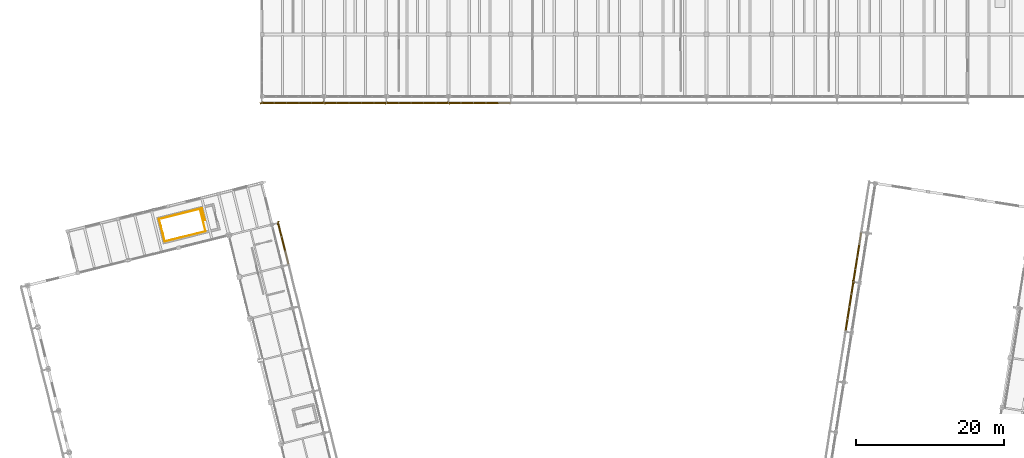
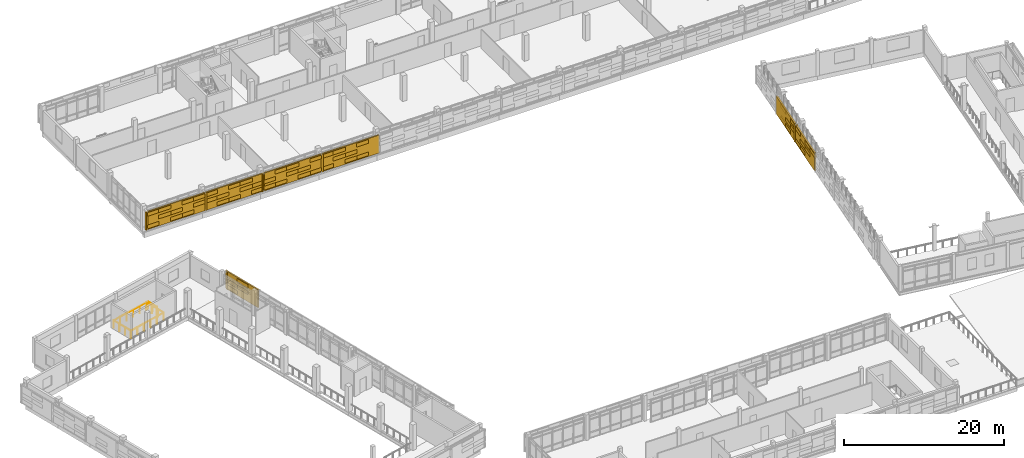
# One storey, part 111 of 117: 61 coverings, 7 shading devices, 5 railings.
"""IFC4 building model written with IfcOpenShell, lengths in metres."""

from ifc_helpers import new_model, si_unit, direction, frame, origin, origin_2d, place, context, subcontext, project, spatial, rectangle, circle, extrude, material, layer, layer_set, type_object, element, save


model = new_model("IFC4")

# Units and contexts
model_context = context("Model", 3, precision=1e-05, world=origin(), true_north=direction((0.0, 1.0)))
body_context = subcontext(model_context, "Body", "Model", "MODEL_VIEW")
ifc_project = project(units=[si_unit("LENGTHUNIT", "METRE"), si_unit("AREAUNIT", "SQUARE_METRE"), si_unit("VOLUMEUNIT", "CUBIC_METRE"), si_unit("PLANEANGLEUNIT", "RADIAN"), si_unit("MASSUNIT", "GRAM", prefix="KILO")], contexts=[model_context])

# Site, building, storey
site_placement = place(None, origin())
site = spatial("IfcSite", under=ifc_project, at=site_placement, CompositionType="ELEMENT")
building_placement = place(site_placement, origin())
building = spatial("IfcBuilding", under=site, at=building_placement, Name="Cinderway Yard Community Centre", CompositionType="ELEMENT")
storey_placement = place(building_placement, frame((0.0, 0.0, 9.0)))
storey = spatial("IfcBuildingStorey", under=building, at=storey_placement, Name="L02", CompositionType="ELEMENT", Elevation=9.0)

# Coverings
ifc_material_1 = material(Name="Brick Masonry", Category="masonry")
ifc_layer = layer(ifc_material_1, 0.18994140625, Name="Brick Masonry")
ifc_layer_set = layer_set([ifc_layer], Name="Brick Masonry")
covering_type = type_object("IfcCoveringType", Name="ENV-COV-BRK-SCREEN", PredefinedType="CLADDING", material=ifc_layer_set)
for number, where, z_axis, x_axis, name in (
    (1, (41.60009765625, 89.14990234375, 0.64990234375), (0.0, 0.0, 1.0), (-0.913545457643, -0.406736643076, 0.0), "Deconstructivist folded brick fin 0567"),
    (2, (50.0, 89.14990234375, 0.64990234375), (0.0, 0.0, 1.0), (-0.913545457643, 0.406736643076, 0.0), "Deconstructivist folded brick fin 0568"),
    (3, (58.39990234375, 89.14990234375, 0.64990234375), (0.0, 0.0, 1.0), (-0.913545457643, -0.406736643076, 0.0), "Deconstructivist folded brick fin 0569"),
    (4, (66.800048828125, 89.14990234375, 0.64990234375), (0.0, 0.0, 1.0), (-0.913545457643, 0.406736643076, 0.0), "Deconstructivist folded brick fin 0570"),
):
    element("IfcCovering", number, at=place(storey_placement, frame(where, z_axis=z_axis, x_axis=x_axis)), inside=storey, type_object=covering_type, Name=name, PredefinedType="CLADDING", context=body_context, shape_type="SweptSolid", body=[
        extrude(rectangle(XDim=0.4599609375, YDim=0.199951171875, at=origin_2d()), origin(), (0.0, 0.0, 1.0), 2.75),
    ])
for number, where, z_axis, x_axis, name in (
    (5, (42.43994140625, 89.14990234375, 0.79052734375), (0.0, 0.0, 1.0), (-1.0, 0.0, 0.0), "Open-bond perforated brick screen course 00579"),
    (6, (45.800048828125, 89.14990234375, 0.79052734375), (0.0, 0.0, 1.0), (-1.0, 0.0, 0.0), "Open-bond perforated brick screen course 00580"),
    (7, (47.47998046875, 89.14990234375, 0.79052734375), (0.0, 0.0, 1.0), (-1.0, 0.0, 0.0), "Open-bond perforated brick screen course 00581"),
    (8, (44.1201171875, 89.14990234375, 1.736328125), (0.0, 0.0, 1.0), (-1.0, 0.0, 0.0), "Open-bond perforated brick screen course 00582"),
    (9, (45.800048828125, 89.14990234375, 1.736328125), (0.0, 0.0, 1.0), (-1.0, 0.0, 0.0), "Open-bond perforated brick screen course 00583"),
    (10, (49.159912109375, 89.14990234375, 1.736328125), (0.0, 0.0, 1.0), (-1.0, 0.0, 0.0), "Open-bond perforated brick screen course 00584"),
    (11, (42.43994140625, 89.14990234375, 2.6826171875), (0.0, 0.0, 1.0), (-1.0, 0.0, 0.0), "Open-bond perforated brick screen course 00585"),
    (12, (44.1201171875, 89.14990234375, 2.6826171875), (0.0, 0.0, 1.0), (-1.0, 0.0, 0.0), "Open-bond perforated brick screen course 00586"),
    (13, (47.47998046875, 89.14990234375, 2.6826171875), (0.0, 0.0, 1.0), (-1.0, 0.0, 0.0), "Open-bond perforated brick screen course 00587"),
    (14, (49.159912109375, 89.14990234375, 2.6826171875), (0.0, 0.0, 1.0), (-1.0, 0.0, 0.0), "Open-bond perforated brick screen course 00588"),
    (15, (52.52001953125, 89.14990234375, 0.79052734375), (0.0, 0.0, 1.0), (-1.0, 0.0, 0.0), "Open-bond perforated brick screen course 00589"),
    (16, (54.199951171875, 89.14990234375, 0.79052734375), (0.0, 0.0, 1.0), (-1.0, 0.0, 0.0), "Open-bond perforated brick screen course 00590"),
    (17, (57.56005859375, 89.14990234375, 0.79052734375), (0.0, 0.0, 1.0), (-1.0, 0.0, 0.0), "Open-bond perforated brick screen course 00591"),
    (18, (50.840087890625, 89.14990234375, 1.736328125), (0.0, 0.0, 1.0), (-1.0, 0.0, 0.0), "Open-bond perforated brick screen course 00592"),
    (19, (52.52001953125, 89.14990234375, 1.736328125), (0.0, 0.0, 1.0), (-1.0, 0.0, 0.0), "Open-bond perforated brick screen course 00593"),
    (20, (55.8798828125, 89.14990234375, 1.736328125), (0.0, 0.0, 1.0), (-1.0, 0.0, 0.0), "Open-bond perforated brick screen course 00594"),
    (21, (57.56005859375, 89.14990234375, 1.736328125), (0.0, 0.0, 1.0), (-1.0, 0.0, 0.0), "Open-bond perforated brick screen course 00595"),
    (22, (50.840087890625, 89.14990234375, 2.6826171875), (0.0, 0.0, 1.0), (-1.0, 0.0, 0.0), "Open-bond perforated brick screen course 00596"),
    (23, (54.199951171875, 89.14990234375, 2.6826171875), (0.0, 0.0, 1.0), (-1.0, 0.0, 0.0), "Open-bond perforated brick screen course 00597"),
    (24, (55.8798828125, 89.14990234375, 2.6826171875), (0.0, 0.0, 1.0), (-1.0, 0.0, 0.0), "Open-bond perforated brick screen course 00598"),
    (25, (59.239990234375, 89.14990234375, 0.79052734375), (0.0, 0.0, 1.0), (-1.0, 0.0, 0.0), "Open-bond perforated brick screen course 00599"),
    (26, (60.919921875, 89.14990234375, 0.79052734375), (0.0, 0.0, 1.0), (-1.0, 0.0, 0.0), "Open-bond perforated brick screen course 00600"),
    (27, (64.280029296875, 89.14990234375, 0.79052734375), (0.0, 0.0, 1.0), (-1.0, 0.0, 0.0), "Open-bond perforated brick screen course 00601"),
    (28, (65.9599609375, 89.14990234375, 0.79052734375), (0.0, 0.0, 1.0), (-1.0, 0.0, 0.0), "Open-bond perforated brick screen course 00602"),
    (29, (59.239990234375, 89.14990234375, 1.736328125), (0.0, 0.0, 1.0), (-1.0, 0.0, 0.0), "Open-bond perforated brick screen course 00603"),
    (30, (62.60009765625, 89.14990234375, 1.736328125), (0.0, 0.0, 1.0), (-1.0, 0.0, 0.0), "Open-bond perforated brick screen course 00604"),
    (31, (64.280029296875, 89.14990234375, 1.736328125), (0.0, 0.0, 1.0), (-1.0, 0.0, 0.0), "Open-bond perforated brick screen course 00605"),
    (32, (60.919921875, 89.14990234375, 2.6826171875), (0.0, 0.0, 1.0), (-1.0, 0.0, 0.0), "Open-bond perforated brick screen course 00606"),
    (33, (62.60009765625, 89.14990234375, 2.6826171875), (0.0, 0.0, 1.0), (-1.0, 0.0, 0.0), "Open-bond perforated brick screen course 00607"),
    (34, (65.9599609375, 89.14990234375, 2.6826171875), (0.0, 0.0, 1.0), (-1.0, 0.0, 0.0), "Open-bond perforated brick screen course 00608"),
    (35, (67.639892578125, 89.14990234375, 0.79052734375), (0.0, 0.0, 1.0), (-1.0, 0.0, 0.0), "Open-bond perforated brick screen course 00609"),
    (36, (71.0, 89.14990234375, 0.79052734375), (0.0, 0.0, 1.0), (-1.0, 0.0, 0.0), "Open-bond perforated brick screen course 00610"),
    (37, (72.679931640625, 89.14990234375, 0.79052734375), (0.0, 0.0, 1.0), (-1.0, 0.0, 0.0), "Open-bond perforated brick screen course 00611"),
    (38, (69.320068359375, 89.14990234375, 1.736328125), (0.0, 0.0, 1.0), (-1.0, 0.0, 0.0), "Open-bond perforated brick screen course 00612"),
    (39, (71.0, 89.14990234375, 1.736328125), (0.0, 0.0, 1.0), (-1.0, 0.0, 0.0), "Open-bond perforated brick screen course 00613"),
    (40, (67.639892578125, 89.14990234375, 2.6826171875), (0.0, 0.0, 1.0), (-1.0, 0.0, 0.0), "Open-bond perforated brick screen course 00615"),
    (41, (69.320068359375, 89.14990234375, 2.6826171875), (0.0, 0.0, 1.0), (-1.0, 0.0, 0.0), "Open-bond perforated brick screen course 00616"),
    (42, (72.679931640625, 89.14990234375, 2.6826171875), (0.0, 0.0, 1.0), (-1.0, 0.0, 0.0), "Open-bond perforated brick screen course 00617"),
):
    element("IfcCovering", number, at=place(storey_placement, frame(where, z_axis=z_axis, x_axis=x_axis)), inside=storey, type_object=covering_type, Name=name, PredefinedType="CLADDING", context=body_context, shape_type="SweptSolid", body=[
        extrude(rectangle(XDim=1.760009765625, YDim=0.18994140625, at=origin_2d()), origin(), (0.0, 0.0, 1.0), 0.576904296875),
    ])
covering_1_placement = place(storey_placement, frame((43.802001953125, 72.94189453125, 0.64990234375), z_axis=(0.0, 0.0, 1.0), x_axis=(-0.173648177667, -0.984807753012, 0.0)))
element("IfcCovering", 43, at=covering_1_placement, inside=storey, type_object=covering_type, Name="Deconstructivist folded brick fin 1205", PredefinedType="CLADDING", context=body_context, shape_type="SweptSolid", body=[
    extrude(rectangle(XDim=0.4599609375, YDim=0.199951171875, at=origin_2d()), origin(), (0.0, 0.0, 1.0), 2.75),
])
for number, where, z_axis, x_axis, name in (
    (44, (44.035888671875, 72.00390625, 0.79052734375), (0.0, 0.0, 1.0), (0.2419218956, -0.970295726276, 0.0), "Open-bond perforated brick screen course 01243"),
    (45, (44.50390625, 70.1279296875, 1.736328125), (0.0, 0.0, 1.0), (0.2419218956, -0.970295726276, 0.0), "Open-bond perforated brick screen course 01244"),
    (46, (44.035888671875, 72.00390625, 1.736328125), (0.0, 0.0, 1.0), (0.2419218956, -0.970295726276, 0.0), "Open-bond perforated brick screen course 01245"),
    (47, (44.50390625, 70.1279296875, 2.6826171875), (0.0, 0.0, 1.0), (0.2419218956, -0.970295726276, 0.0), "Open-bond perforated brick screen course 01247"),
):
    element("IfcCovering", number, at=place(storey_placement, frame(where, z_axis=z_axis, x_axis=x_axis)), inside=storey, type_object=covering_type, Name=name, PredefinedType="CLADDING", context=body_context, shape_type="SweptSolid", body=[
        extrude(rectangle(XDim=2.012939453125, YDim=0.18994140625, at=origin_2d()), origin(), (0.0, 0.0, 1.0), 0.576904296875),
    ])
covering_2_placement = place(storey_placement, frame((121.4150390625, 64.998046875, 0.64990234375), z_axis=(0.0, 0.0, 1.0), x_axis=(-0.258819045103, 0.965925826289, 0.0)))
element("IfcCovering", 48, at=covering_2_placement, inside=storey, type_object=covering_type, Name="Deconstructivist folded brick fin 1379", PredefinedType="CLADDING", context=body_context, shape_type="SweptSolid", body=[
    extrude(rectangle(XDim=0.4599609375, YDim=0.199951171875, at=origin_2d()), origin(), (0.0, 0.0, 1.0), 2.75),
])
for number, where, z_axis, x_axis, name in (
    (49, (121.01611328125, 62.47998046875, 0.79052734375), (0.0, 0.0, 1.0), (0.15643446504, 0.987688340595, 0.0), "Open-bond perforated brick screen course 01407"),
    (50, (121.281982421875, 64.158935546875, 0.79052734375), (0.0, 0.0, 1.0), (0.15643446504, 0.987688340595, 0.0), "Open-bond perforated brick screen course 01408"),
    (51, (120.75, 60.800048828125, 1.736328125), (0.0, 0.0, 1.0), (0.15643446504, 0.987688340595, 0.0), "Open-bond perforated brick screen course 01409"),
    (52, (121.01611328125, 62.47998046875, 1.736328125), (0.0, 0.0, 1.0), (0.15643446504, 0.987688340595, 0.0), "Open-bond perforated brick screen course 01410"),
    (53, (120.48388671875, 59.12109375, 2.6826171875), (0.0, 0.0, 1.0), (0.15643446504, 0.987688340595, 0.0), "Open-bond perforated brick screen course 01411"),
    (54, (120.75, 60.800048828125, 2.6826171875), (0.0, 0.0, 1.0), (0.15643446504, 0.987688340595, 0.0), "Open-bond perforated brick screen course 01412"),
    (55, (121.281982421875, 64.158935546875, 2.6826171875), (0.0, 0.0, 1.0), (0.15643446504, 0.987688340595, 0.0), "Open-bond perforated brick screen course 01413"),
    (56, (121.81396484375, 67.51708984375, 0.79052734375), (0.0, 0.0, 1.0), (0.15643446504, 0.987688340595, 0.0), "Open-bond perforated brick screen course 01414"),
    (57, (122.080078125, 69.195068359375, 0.79052734375), (0.0, 0.0, 1.0), (0.15643446504, 0.987688340595, 0.0), "Open-bond perforated brick screen course 01415"),
    (58, (121.548095703125, 65.837890625, 1.736328125), (0.0, 0.0, 1.0), (0.15643446504, 0.987688340595, 0.0), "Open-bond perforated brick screen course 01416"),
    (59, (121.81396484375, 67.51708984375, 1.736328125), (0.0, 0.0, 1.0), (0.15643446504, 0.987688340595, 0.0), "Open-bond perforated brick screen course 01417"),
    (60, (121.548095703125, 65.837890625, 2.6826171875), (0.0, 0.0, 1.0), (0.15643446504, 0.987688340595, 0.0), "Open-bond perforated brick screen course 01419"),
    (61, (122.080078125, 69.195068359375, 2.6826171875), (0.0, 0.0, 1.0), (0.15643446504, 0.987688340595, 0.0), "Open-bond perforated brick screen course 01420"),
):
    element("IfcCovering", number, at=place(storey_placement, frame(where, z_axis=z_axis, x_axis=x_axis)), inside=storey, type_object=covering_type, Name=name, PredefinedType="CLADDING", context=body_context, shape_type="SweptSolid", body=[
        extrude(rectangle(XDim=1.780029296875, YDim=0.18994140625, at=origin_2d()), origin(), (0.0, 0.0, 1.0), 0.576904296875),
    ])

# Shading devices
shading_device_type_1 = type_object("IfcShadingDeviceType", Name="ENV-SHD-BRICKSCREEN-A", PredefinedType="USERDEFINED", material=ifc_material_1)
for number, where, z_axis, x_axis, name in (
    (62, (45.800048828125, 89.14990234375, 0.64990234375), (0.0, 0.0, 1.0), (-1.0, 0.0, 0.0), "V4 Courtyard Perforated Brick Screen 0422"),
    (63, (54.199951171875, 89.14990234375, 0.64990234375), (0.0, 0.0, 1.0), (-1.0, 0.0, 0.0), "V4 Courtyard Perforated Brick Screen 0430"),
    (64, (62.60009765625, 89.14990234375, 0.64990234375), (0.0, 0.0, 1.0), (-1.0, 0.0, 0.0), "V4 Courtyard Perforated Brick Screen 0438"),
    (65, (71.0, 89.14990234375, 0.64990234375), (0.0, 0.0, 1.0), (-1.0, 0.0, 0.0), "V4 Courtyard Perforated Brick Screen 0446"),
):
    element("IfcShadingDevice", number, at=place(storey_placement, frame(where, z_axis=z_axis, x_axis=x_axis)), inside=storey, type_object=shading_device_type_1, Name=name, ObjectType="PERFORATED BRICK SCREEN", PredefinedType="USERDEFINED", context=body_context, shape_type="SweptSolid", body=[
        extrude(rectangle(XDim=8.199951171875, YDim=0.18994140625, at=origin_2d()), origin(), (0.0, 0.0, 1.0), 2.75),
    ])
for number, where, z_axis, x_axis, name in (
    (66, (120.883056640625, 61.639892578125, 0.64990234375), (0.0, 0.0, 1.0), (0.15643446504, 0.987688340595, 0.0), "Sports Hall Courtyard Perforated Brick Screen 1068"),
    (67, (121.947021484375, 68.35595703125, 0.64990234375), (0.0, 0.0, 1.0), (0.15643446504, 0.987688340595, 0.0), "Sports Hall Courtyard Perforated Brick Screen 1075"),
):
    element("IfcShadingDevice", number, at=place(storey_placement, frame(where, z_axis=z_axis, x_axis=x_axis)), inside=storey, type_object=shading_device_type_1, Name=name, ObjectType="PERFORATED BRICK SCREEN", PredefinedType="USERDEFINED", context=body_context, shape_type="SweptSolid", body=[
        extrude(rectangle(XDim=6.60009765625, YDim=0.18994140625, at=origin_2d()), origin(), (0.0, 0.0, 1.0), 2.75),
    ])
shading_device_type_2 = type_object("IfcShadingDeviceType", Name="ENV-SHD-BRICKSCREEN-B", PredefinedType="USERDEFINED", material=ifc_material_1)
shading_device_placement = place(storey_placement, frame((44.50390625, 70.1279296875, 0.64990234375), z_axis=(0.0, 0.0, 1.0), x_axis=(0.2419218956, -0.970295726276, 0.0)))
element("IfcShadingDevice", 68, at=shading_device_placement, inside=storey, type_object=shading_device_type_2, Name="Main Hall Courtyard Perforated Brick Screen 0939", ObjectType="PERFORATED BRICK SCREEN", PredefinedType="USERDEFINED", context=body_context, shape_type="SweptSolid", body=[
    extrude(rectangle(XDim=5.60009765625, YDim=0.18994140625, at=origin_2d()), origin(), (0.0, 0.0, 1.0), 2.75),
])

# Railings
ifc_material_2 = material(Name="Painted Galvanised Steel", Category="steel")
railing_type = type_object("IfcRailingType", Name="INT-RAL-GRD112", PredefinedType="GUARDRAIL", material=ifc_material_2)
railing_1_placement = place(storey_placement, frame((33.53955078125, 74.91796875, 0.0)))
element("IfcRailing", 69, at=railing_1_placement, inside=storey, type_object=railing_type, Name="L02 ST-06 top well guard 1", PredefinedType="GUARDRAIL", context=body_context, shape_type="SweptSolid", body=[
    extrude(circle(Radius=0.02392578125, at=origin_2d()), frame((0.0, 0.0, 1.076171875), z_axis=(0.241905088158, -0.970299916687, 0.0), x_axis=(0.970299916687, 0.241905088158, 0.0)), (0.0, 0.0, 1.0), 1.64013671875),
    extrude(circle(Radius=0.02099609375, at=origin_2d()), origin(), (0.0, 0.0, 1.0), 1.052001953125),
    extrude(circle(Radius=0.02099609375, at=origin_2d()), frame((0.1982421875, -0.795654296875, 0.0)), (0.0, 0.0, 1.0), 1.052001953125),
    extrude(circle(Radius=0.02099609375, at=origin_2d()), frame((0.396728515625, -1.59130859375, 0.0)), (0.0, 0.0, 1.0), 1.052001953125),
])
railing_2_placement = place(storey_placement, frame((33.258056640625, 74.847900390625, 0.0)))
element("IfcRailing", 70, at=railing_2_placement, inside=storey, type_object=railing_type, Name="Service void perimeter guard L02 119", PredefinedType="GUARDRAIL", context=body_context, shape_type="SweptSolid", body=[
    extrude(circle(Radius=0.02392578125, at=origin_2d()), frame((0.0, 0.0, 1.09619140625), z_axis=(-0.970306632859, -0.241878147481, 0.0), x_axis=(0.241878147481, -0.970306632859, 0.0)), (0.0, 0.0, 1.0), 5.6796875),
    extrude(circle(Radius=0.02099609375, at=origin_2d()), origin(), (0.0, 0.0, 1.0), 1.072021484375),
    extrude(circle(Radius=0.02099609375, at=origin_2d()), frame((-1.102294921875, -0.274658203125, 0.0)), (0.0, 0.0, 1.0), 1.072021484375),
    extrude(circle(Radius=0.02099609375, at=origin_2d()), frame((-2.204345703125, -0.549560546875, 0.0)), (0.0, 0.0, 1.0), 1.072021484375),
    extrude(circle(Radius=0.02099609375, at=origin_2d()), frame((-3.306640625, -0.82421875, 0.0)), (0.0, 0.0, 1.0), 1.072021484375),
    extrude(circle(Radius=0.02099609375, at=origin_2d()), frame((-4.40869140625, -1.09912109375, 0.0)), (0.0, 0.0, 1.0), 1.072021484375),
    extrude(circle(Radius=0.02099609375, at=origin_2d()), frame((-5.510986328125, -1.373779296875, 0.0)), (0.0, 0.0, 1.0), 1.072021484375),
])
railing_3_placement = place(storey_placement, frame((27.7470703125, 73.47412109375, 0.0)))
element("IfcRailing", 71, at=railing_3_placement, inside=storey, type_object=railing_type, Name="Service void perimeter guard L02 120", PredefinedType="GUARDRAIL", context=body_context, shape_type="SweptSolid", body=[
    extrude(circle(Radius=0.02392578125, at=origin_2d()), frame((0.0, 0.0, 1.09619140625), z_axis=(0.241891313435, -0.970303350754, 0.0), x_axis=(0.970303350754, 0.241891313435, 0.0)), (0.0, 0.0, 1.0), 3.120849609375),
    extrude(circle(Radius=0.02099609375, at=origin_2d()), origin(), (0.0, 0.0, 1.0), 1.072021484375),
    extrude(circle(Radius=0.02099609375, at=origin_2d()), frame((0.251708984375, -1.00927734375, 0.0)), (0.0, 0.0, 1.0), 1.072021484375),
    extrude(circle(Radius=0.02099609375, at=origin_2d()), frame((0.503173828125, -2.018798828125, 0.0)), (0.0, 0.0, 1.0), 1.072021484375),
    extrude(circle(Radius=0.02099609375, at=origin_2d()), frame((0.7548828125, -3.028076171875, 0.0)), (0.0, 0.0, 1.0), 1.072021484375),
])
railing_4_placement = place(storey_placement, frame((28.501953125, 70.446044921875, 0.0)))
element("IfcRailing", 72, at=railing_4_placement, inside=storey, type_object=railing_type, Name="Service void perimeter guard L02 121", PredefinedType="GUARDRAIL", context=body_context, shape_type="SweptSolid", body=[
    extrude(circle(Radius=0.02392578125, at=origin_2d()), frame((0.0, 0.0, 1.09619140625), z_axis=(0.97025617203, 0.242080483802, 0.0), x_axis=(-0.242080483802, 0.97025617203, 0.0)), (0.0, 0.0, 1.0), 5.679931640625),
    extrude(circle(Radius=0.02099609375, at=origin_2d()), origin(), (0.0, 0.0, 1.0), 1.072021484375),
    extrude(circle(Radius=0.02099609375, at=origin_2d()), frame((1.102294921875, 0.27490234375, 0.0)), (0.0, 0.0, 1.0), 1.072021484375),
    extrude(circle(Radius=0.02099609375, at=origin_2d()), frame((2.204345703125, 0.550048828125, 0.0)), (0.0, 0.0, 1.0), 1.072021484375),
    extrude(circle(Radius=0.02099609375, at=origin_2d()), frame((3.306640625, 0.824951171875, 0.0)), (0.0, 0.0, 1.0), 1.072021484375),
    extrude(circle(Radius=0.02099609375, at=origin_2d()), frame((4.40869140625, 1.10009765625, 0.0)), (0.0, 0.0, 1.0), 1.072021484375),
    extrude(circle(Radius=0.02099609375, at=origin_2d()), frame((5.510986328125, 1.375, 0.0)), (0.0, 0.0, 1.0), 1.072021484375),
])
railing_5_placement = place(storey_placement, frame((34.012939453125, 71.821044921875, 0.0)))
element("IfcRailing", 73, at=railing_5_placement, inside=storey, type_object=railing_type, Name="Service void perimeter guard L02 122", PredefinedType="GUARDRAIL", context=body_context, shape_type="SweptSolid", body=[
    extrude(circle(Radius=0.02392578125, at=origin_2d()), frame((0.0, 0.0, 1.09619140625), z_axis=(-0.241983154801, 0.970280450588, 0.0), x_axis=(-0.970280450588, -0.241983154801, 0.0)), (0.0, 0.0, 1.0), 3.11962890625),
    extrude(circle(Radius=0.02099609375, at=origin_2d()), origin(), (0.0, 0.0, 1.0), 1.072021484375),
    extrude(circle(Radius=0.02099609375, at=origin_2d()), frame((-0.251708984375, 1.009033203125, 0.0)), (0.0, 0.0, 1.0), 1.072021484375),
    extrude(circle(Radius=0.02099609375, at=origin_2d()), frame((-0.503173828125, 2.017822265625, 0.0)), (0.0, 0.0, 1.0), 1.072021484375),
    extrude(circle(Radius=0.02099609375, at=origin_2d()), frame((-0.7548828125, 3.02685546875, 0.0)), (0.0, 0.0, 1.0), 1.072021484375),
])

save(model, "model.ifc")
